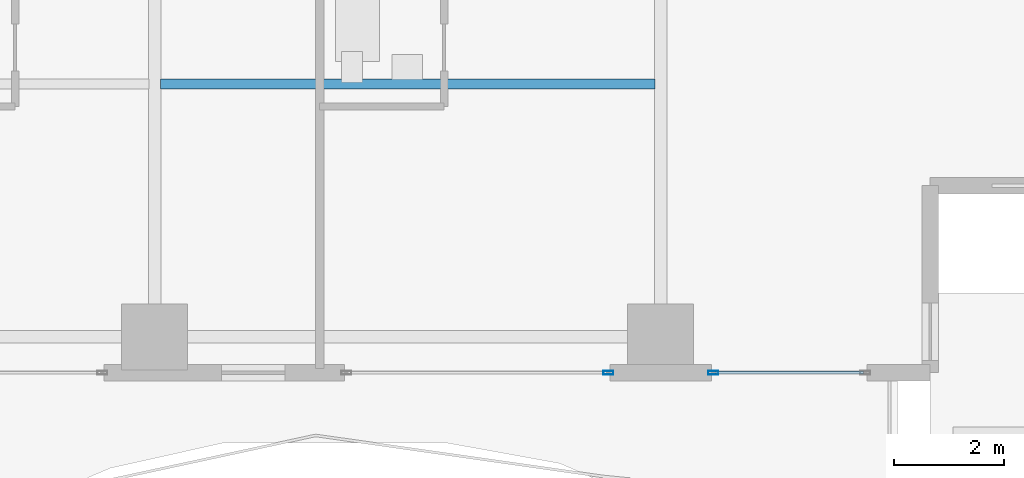
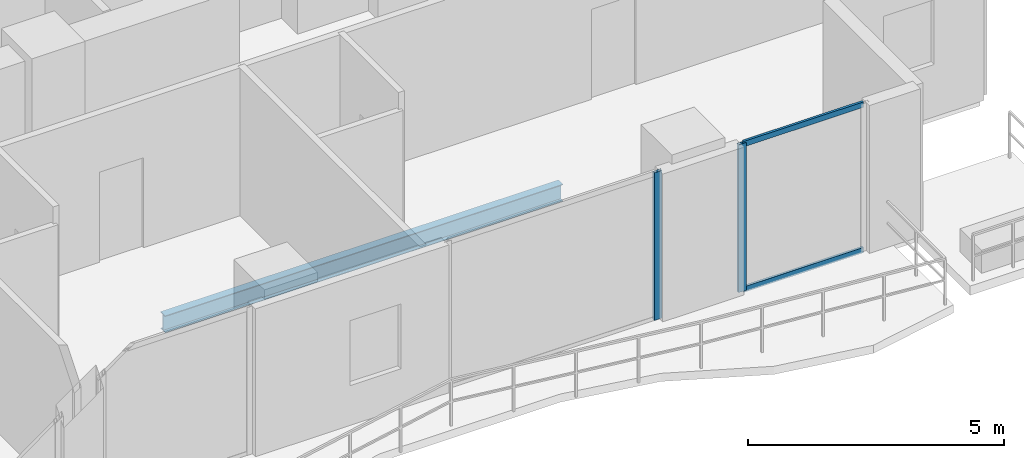
# One storey, part 11 of 33: 4 members, 1 beam, 2 elements without a shape of their own.
"""IFC4 building model written with IfcOpenShell, lengths in metres."""

from ifc_helpers import new_model, si_unit, direction, frame, origin, origin_2d, place, context, subcontext, project, spatial, hollow_rectangle, i_section, extrude, material, layer, layer_set, material_profile, profile_set, type_object, element, aggregate, save


model = new_model("IFC4")

# Units and contexts
model_context = context("Model", 3, precision=1e-05, world=origin(), true_north=direction((0.0, 1.0)))
body_context = subcontext(model_context, "Body", "Model", "MODEL_VIEW")
ifc_project = project(units=[si_unit("LENGTHUNIT", "METRE"), si_unit("AREAUNIT", "SQUARE_METRE"), si_unit("VOLUMEUNIT", "CUBIC_METRE"), si_unit("PLANEANGLEUNIT", "RADIAN"), si_unit("MASSUNIT", "GRAM", prefix="KILO")], contexts=[model_context])

# Site, building, storey
site_placement = place(None, origin())
site = spatial("IfcSite", under=ifc_project, at=site_placement, CompositionType="ELEMENT")
building_placement = place(site_placement, origin())
building = spatial("IfcBuilding", under=site, at=building_placement, Name="Zuhayl Quay Hotel", CompositionType="ELEMENT")
storey_placement = place(building_placement, frame((0.0, 0.0, 199.89990234375)))
storey = spatial("IfcBuildingStorey", under=building, at=storey_placement, Name="L50", CompositionType="ELEMENT", Elevation=199.89990234375)

# Beam
ifc_material_1 = material(Name="Steel ASTM A992 Grade 50", Category="steel")
ifc_material_profile_1 = material_profile(ifc_material_1, i_section(OverallWidth=0.177978515625, OverallDepth=0.406005859375, WebThickness=0.0078125, FlangeThickness=0.0126953125, at=origin_2d()), Name="W16X40")
ifc_profile_set_1 = profile_set([ifc_material_profile_1], Name="Steel ASTM A992 Grade 50")
beam_type = type_object("IfcBeamType", Name="BM_J2B_W16X40", PredefinedType="JOIST", material=ifc_profile_set_1)
beam_placement = place(storey_placement, frame((4.7060546875, -2.35009765625, -0.4228515625), z_axis=(1.0, 0.0, 0.0), x_axis=(0.0, 1.0, 0.0)))
element("IfcBeam", 1, at=beam_placement, inside=storey, type_object=beam_type, Name="L50 Floor Beam FJ_L50_7_3", PredefinedType="JOIST", context=body_context, shape_type="SweptSolid", body=[
    extrude(i_section(OverallWidth=0.177978515625, OverallDepth=0.406005859375, WebThickness=0.0078125, FlangeThickness=0.0126953125, at=origin_2d()), origin(), (0.0, 0.0, 1.0), 8.988037109375),
])

# Curtain wall, member
ifc_material_2 = material(Name="Anodised Aluminium 6063-T6", Category="aluminium")
ifc_layer = layer(ifc_material_2, 0.175048828125, Name="Anodised Aluminium 6063-T6", Category="aluminium")
ifc_layer_set = layer_set([ifc_layer], Name="Anodised Aluminium 6063-T6")
curtain_wall_type = type_object("IfcCurtainWallType", Name="CW_SYS_Z3", PredefinedType="USERDEFINED", material=ifc_layer_set)
curtain_wall_1_placement = place(storey_placement, origin())
curtain_wall_1 = element("IfcCurtainWall", 2, at=curtain_wall_1_placement, inside=storey, type_object=curtain_wall_type, Name="L50 Curtain Wall ENV_L50_S_CW1", ObjectType="UNITISED CURTAIN WALL", PredefinedType="USERDEFINED")
ifc_material_3 = material(Name="Black-anodised aluminium 6063-T6", Category="aluminium")
ifc_material_profile_2 = material_profile(ifc_material_3, hollow_rectangle(XDim=0.06494140625, YDim=0.179931640625, WallThickness=0.00341796875, at=origin_2d()), Name="ALU180X65")
ifc_profile_set_2 = profile_set([ifc_material_profile_2], Name="Black-anodised aluminium 6063-T6")
member_type_1 = type_object("IfcMemberType", Name="MB_CW_MUL_180", PredefinedType="MULLION", material=ifc_profile_set_2)
member_1_placement = place(storey_placement, frame((14.75244140625, -7.60009765625, 0.0), z_axis=(0.0, 0.0, 1.0), x_axis=(0.0, -1.0, 0.0)))
member_1 = element("IfcMember", 3, at=member_1_placement, type_object=member_type_1, Name="CW-Z3 mullion 2", PredefinedType="MULLION", context=body_context, shape_type="SweptSolid", body=[
    extrude(hollow_rectangle(XDim=0.06494140625, YDim=0.179931640625, WallThickness=0.00341796875, at=origin_2d()), origin(), (0.0, 0.0, 1.0), 3.530029296875),
])

curtain_wall_2_placement = place(storey_placement, origin())
curtain_wall_2 = element("IfcCurtainWall", 4, at=curtain_wall_2_placement, inside=storey, type_object=curtain_wall_type, Name="L50 Curtain Wall ENV_L50_S_CW2", ObjectType="UNITISED CURTAIN WALL", PredefinedType="USERDEFINED")
member_2_placement = place(storey_placement, frame((12.847412109375, -7.60009765625, 0.0), z_axis=(0.0, 0.0, 1.0), x_axis=(0.0, -1.0, 0.0)))
member_2 = element("IfcMember", 5, at=member_2_placement, type_object=member_type_1, Name="CW-Z3 mullion 1", PredefinedType="MULLION", context=body_context, shape_type="SweptSolid", body=[
    extrude(hollow_rectangle(XDim=0.06494140625, YDim=0.179931640625, WallThickness=0.00341796875, at=origin_2d()), origin(), (0.0, 0.0, 1.0), 3.530029296875),
])
aggregate(curtain_wall_2, [member_2])

# Member
ifc_material_profile_3 = material_profile(ifc_material_3, hollow_rectangle(XDim=0.054931640625, YDim=0.1298828125, WallThickness=0.0029296875, at=origin_2d()), Name="ALU130X55")
ifc_profile_set_3 = profile_set([ifc_material_profile_3], Name="Black-anodised aluminium 6063-T6")
member_type_2 = type_object("IfcMemberType", Name="MB_CW_TRN_130", PredefinedType="USERDEFINED", material=ifc_profile_set_3)
member_3_placement = place(storey_placement, frame((17.485107421875, -7.60009765625, 0.027587890625), z_axis=(-1.0, 0.0, 0.0), x_axis=(0.0, -1.0, 0.0)))
member_3 = element("IfcMember", 6, at=member_3_placement, type_object=member_type_2, Name="CW-Z3 transom 1.1", ObjectType="TRANSOM", PredefinedType="USERDEFINED", context=body_context, shape_type="SweptSolid", body=[
    extrude(hollow_rectangle(XDim=0.054931640625, YDim=0.1298828125, WallThickness=0.0029296875, at=origin_2d()), origin(), (0.0, 0.0, 1.0), 2.7001953125),
])

member_4_placement = place(storey_placement, frame((17.485107421875, -7.60009765625, 3.502685546875), z_axis=(-1.0, 0.0, 0.0), x_axis=(0.0, -1.0, 0.0)))
member_4 = element("IfcMember", 7, at=member_4_placement, type_object=member_type_2, Name="CW-Z3 transom 1.2", ObjectType="TRANSOM", PredefinedType="USERDEFINED", context=body_context, shape_type="SweptSolid", body=[
    extrude(hollow_rectangle(XDim=0.054931640625, YDim=0.1298828125, WallThickness=0.0029296875, at=origin_2d()), origin(), (0.0, 0.0, 1.0), 2.7001953125),
])

aggregate(curtain_wall_1, [member_1, member_3, member_4])

save(model, "model.ifc")
